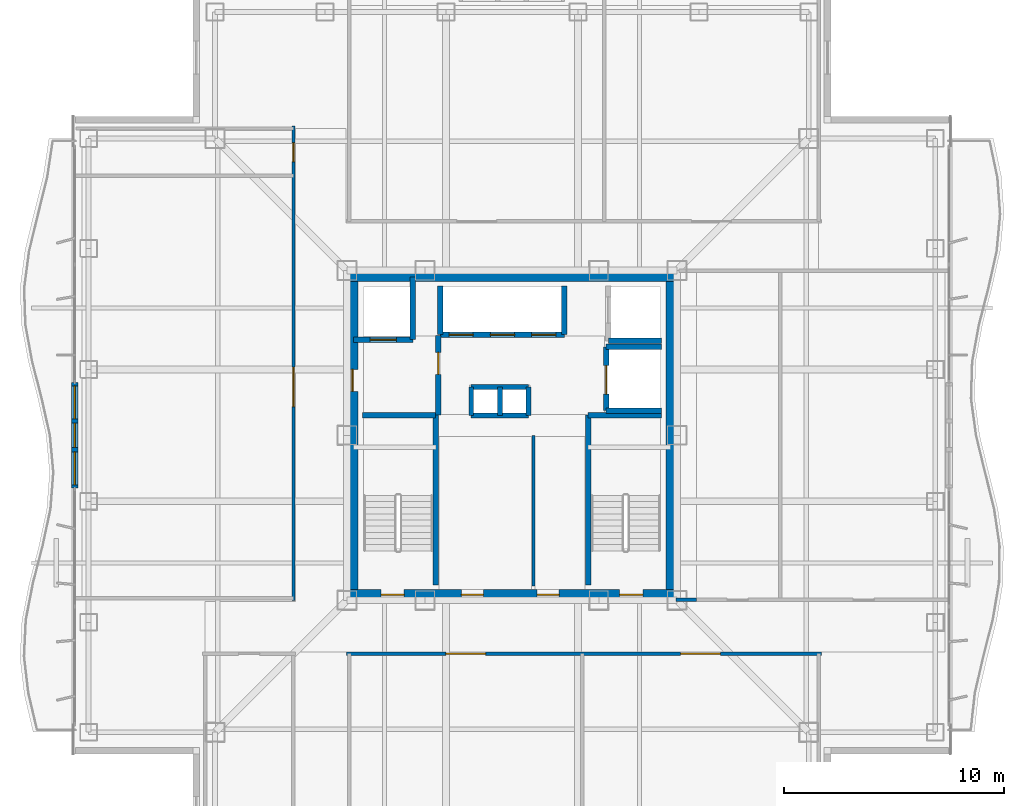
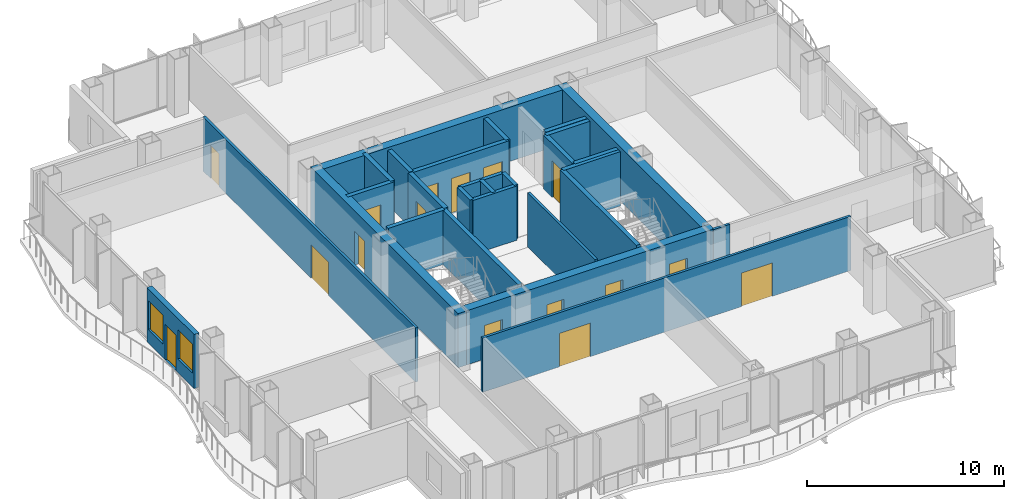
# One storey, part 11 of 16: 28 walls, 16 doors, 2 windows, 18 openings.
"""IFC4 building model written with IfcOpenShell, lengths in metres."""

from ifc_helpers import new_model, si_unit, direction, frame, frame_2d, origin, place, context, subcontext, project, spatial, rectangle, extrude, material, layer, layer_set, type_object, element, fill, save


model = new_model("IFC4")

# Units and contexts
model_context = context("Model", 3, precision=1e-05, world=origin(), true_north=direction((0.0, 1.0)))
body_context = subcontext(model_context, "Body", "Model", "MODEL_VIEW")
ifc_project = project(units=[si_unit("LENGTHUNIT", "METRE"), si_unit("AREAUNIT", "SQUARE_METRE"), si_unit("VOLUMEUNIT", "CUBIC_METRE"), si_unit("PLANEANGLEUNIT", "RADIAN"), si_unit("MASSUNIT", "GRAM", prefix="KILO")], contexts=[model_context])

# Site, building, storey
site_placement = place(None, origin())
site = spatial("IfcSite", under=ifc_project, at=site_placement, CompositionType="ELEMENT")
building_placement = place(site_placement, origin())
building = spatial("IfcBuilding", under=site, at=building_placement, Name="Trevonay Congress Spire", CompositionType="ELEMENT")
storey_placement = place(building_placement, frame((0.0, 0.0, 195.0)))
storey = spatial("IfcBuildingStorey", under=building, at=storey_placement, Name="L50", CompositionType="ELEMENT", Elevation=195.0)

# Wall, openings, doors
ifc_material_1 = material(Name="Concrete C50/60", Category="concrete")
ifc_layer_1 = layer(ifc_material_1, 0.5, Name="Concrete C50/60")
ifc_layer_set_1 = layer_set([ifc_layer_1], Name="Concrete C50/60")
wall_type_1 = type_object("IfcWallType", Name="WAL-CORE-500", PredefinedType="SHEAR", material=ifc_layer_set_1)
wall_1_placement = place(storey_placement, frame((-7.5, -7.25, 0.0), z_axis=(0.0, 0.0, 1.0), x_axis=(1.0, 0.0, 0.0)))
wall_1 = element("IfcWall", 1, at=wall_1_placement, inside=storey, type_object=wall_type_1, Name="L50 South structural core shear wall", PredefinedType="SHEAR", context=body_context, shape_type="SweptSolid", body=[
    extrude(rectangle(XDim=15.0, YDim=0.5, at=frame_2d((7.5, 0.0))), origin(), (0.0, 0.0, 1.0), 3.360107421875),
])
opening_1_placement = place(wall_1_placement, frame((1.550048828125, 0.0, 0.0)))
opening_1 = element("IfcOpeningElement", 2, at=opening_1_placement, cuts=wall_1, Name="Opening D05", PredefinedType="OPENING", context=body_context, shape_type="SweptSolid", body=[
    extrude(rectangle(XDim=1.050048828125, YDim=2.080078125, at=frame_2d((0.52490234375, 1.0400390625))), frame((0.0, 0.260009765625, 0.0), z_axis=(0.0, -1.0, 0.0), x_axis=(1.0, 0.0, 0.0)), (0.0, 0.0, 1.0), 0.52001953125),
])
opening_2_placement = place(wall_1_placement, frame((12.39990234375, 0.0, 0.0)))
opening_2 = element("IfcOpeningElement", 3, at=opening_2_placement, cuts=wall_1, Name="Opening D05", PredefinedType="OPENING", context=body_context, shape_type="SweptSolid", body=[
    extrude(rectangle(XDim=1.050048828125, YDim=2.080078125, at=frame_2d((0.52490234375, 1.0400390625))), frame((0.0, 0.260009765625, 0.0), z_axis=(0.0, -1.0, 0.0), x_axis=(1.0, 0.0, 0.0)), (0.0, 0.0, 1.0), 0.52001953125),
])
opening_3_placement = place(wall_1_placement, frame((5.199951171875, 0.0, 0.0)))
opening_3 = element("IfcOpeningElement", 4, at=opening_3_placement, cuts=wall_1, Name="Opening D06", PredefinedType="OPENING", context=body_context, shape_type="SweptSolid", body=[
    extrude(rectangle(XDim=1.0, YDim=2.080078125, at=frame_2d((0.5, 1.0400390625))), frame((0.0, 0.260009765625, 0.0), z_axis=(0.0, -1.0, 0.0), x_axis=(1.0, 0.0, 0.0)), (0.0, 0.0, 1.0), 0.52001953125),
])
opening_4_placement = place(wall_1_placement, frame((8.64990234375, 0.0, 0.0)))
opening_4 = element("IfcOpeningElement", 5, at=opening_4_placement, cuts=wall_1, Name="Opening D06", PredefinedType="OPENING", context=body_context, shape_type="SweptSolid", body=[
    extrude(rectangle(XDim=1.0, YDim=2.080078125, at=frame_2d((0.5, 1.0400390625))), frame((0.0, 0.260009765625, 0.0), z_axis=(0.0, -1.0, 0.0), x_axis=(1.0, 0.0, 0.0)), (0.0, 0.0, 1.0), 0.52001953125),
])
ifc_material_2 = material(Name="Steel ASTM A572 Grade 50", Category="steel")
door_type_1 = type_object("IfcDoorType", Name="DOR-FIRE-100", OperationType="NOTDEFINED", PredefinedType="DOOR", material=ifc_material_2)
door_1_placement = place(opening_3_placement, origin())
door_1 = element("IfcDoor", 6, at=door_1_placement, inside=storey, type_object=door_type_1, Name="L50 South Core Room 1 Door", OperationType="SINGLE_SWING_LEFT", OverallHeight=2.080078125, OverallWidth=1.0, PredefinedType="DOOR", context=body_context, shape_type="SweptSolid", body=[
    extrude(rectangle(XDim=1.0, YDim=2.080078125, at=frame_2d((0.5, 1.0400390625))), frame((0.0, 0.02490234375, 0.0), z_axis=(0.0, -1.0, 0.0), x_axis=(1.0, 0.0, 0.0)), (0.0, 0.0, 1.0), 0.050048828125),
])
fill(opening_3, door_1)
door_2_placement = place(opening_4_placement, origin())
door_2 = element("IfcDoor", 7, at=door_2_placement, inside=storey, type_object=door_type_1, Name="L50 South Core Room 2 Door", OperationType="SINGLE_SWING_RIGHT", OverallHeight=2.080078125, OverallWidth=1.0, PredefinedType="DOOR", context=body_context, shape_type="SweptSolid", body=[
    extrude(rectangle(XDim=1.0, YDim=2.080078125, at=frame_2d((0.5, 1.0400390625))), frame((0.0, 0.02490234375, 0.0), z_axis=(0.0, -1.0, 0.0), x_axis=(1.0, 0.0, 0.0)), (0.0, 0.0, 1.0), 0.050048828125),
])
fill(opening_4, door_2)
door_type_2 = type_object("IfcDoorType", Name="DOR-STAIR-110", OperationType="NOTDEFINED", PredefinedType="DOOR", material=ifc_material_2)
door_3_placement = place(opening_1_placement, origin())
door_3 = element("IfcDoor", 8, at=door_3_placement, inside=storey, type_object=door_type_2, Name="L50 Protected Stair ST-1 Door", OperationType="SINGLE_SWING_RIGHT", OverallHeight=2.080078125, OverallWidth=1.050048828125, PredefinedType="DOOR", context=body_context, shape_type="SweptSolid", body=[
    extrude(rectangle(XDim=1.050048828125, YDim=2.080078125, at=frame_2d((0.52490234375, 1.0400390625))), frame((0.0, 0.02490234375, 0.0), z_axis=(0.0, -1.0, 0.0), x_axis=(1.0, 0.0, 0.0)), (0.0, 0.0, 1.0), 0.050048828125),
])
fill(opening_1, door_3)
door_4_placement = place(opening_2_placement, origin())
door_4 = element("IfcDoor", 9, at=door_4_placement, inside=storey, type_object=door_type_2, Name="L50 Protected Stair ST-2 Door", OperationType="SINGLE_SWING_LEFT", OverallHeight=2.080078125, OverallWidth=1.050048828125, PredefinedType="DOOR", context=body_context, shape_type="SweptSolid", body=[
    extrude(rectangle(XDim=1.050048828125, YDim=2.080078125, at=frame_2d((0.52490234375, 1.0400390625))), frame((0.0, 0.02490234375, 0.0), z_axis=(0.0, -1.0, 0.0), x_axis=(1.0, 0.0, 0.0)), (0.0, 0.0, 1.0), 0.050048828125),
])
fill(opening_2, door_4)

# Wall
wall_2_placement = place(storey_placement, frame((-7.5, 7.25, 0.0), z_axis=(0.0, 0.0, 1.0), x_axis=(1.0, 0.0, 0.0)))
element("IfcWall", 10, at=wall_2_placement, inside=storey, type_object=wall_type_1, Name="L50 North structural core shear wall", PredefinedType="SHEAR", context=body_context, shape_type="SweptSolid", body=[
    extrude(rectangle(XDim=15.0, YDim=0.5, at=frame_2d((7.5, 0.0))), origin(), (0.0, 0.0, 1.0), 3.360107421875),
])

# Wall, opening, door
wall_3_placement = place(storey_placement, frame((-7.25, -7.5, 0.0), z_axis=(0.0, 0.0, 1.0), x_axis=(0.0, 1.0, 0.0)))
wall_3 = element("IfcWall", 11, at=wall_3_placement, inside=storey, type_object=wall_type_1, Name="L50 West structural core shear wall", PredefinedType="SHEAR", context=body_context, shape_type="SweptSolid", body=[
    extrude(rectangle(XDim=15.0, YDim=0.5, at=frame_2d((7.5, 0.0))), origin(), (0.0, 0.0, 1.0), 3.360107421875),
])
opening_5_placement = place(wall_3_placement, frame((9.5, 0.0, 0.0)))
opening_5 = element("IfcOpeningElement", 12, at=opening_5_placement, cuts=wall_3, Name="Opening D06", PredefinedType="OPENING", context=body_context, shape_type="SweptSolid", body=[
    extrude(rectangle(XDim=1.0, YDim=2.080078125, at=frame_2d((0.5, 1.0400390625))), frame((0.0, 0.260009765625, 0.0), z_axis=(0.0, -1.0, 0.0), x_axis=(1.0, 0.0, 0.0)), (0.0, 0.0, 1.0), 0.52001953125),
])
door_5_placement = place(opening_5_placement, origin())
door_5 = element("IfcDoor", 13, at=door_5_placement, inside=storey, type_object=door_type_1, Name="L50 Firefighting Lift Lobby West Corridor Door", OperationType="SINGLE_SWING_RIGHT", OverallHeight=2.080078125, OverallWidth=1.0, PredefinedType="DOOR", context=body_context, shape_type="SweptSolid", body=[
    extrude(rectangle(XDim=1.0, YDim=2.080078125, at=frame_2d((0.5, 1.0400390625))), frame((0.0, 0.02490234375, 0.0), z_axis=(0.0, -1.0, 0.0), x_axis=(1.0, 0.0, 0.0)), (0.0, 0.0, 1.0), 0.050048828125),
])
fill(opening_5, door_5)

# Wall
wall_4_placement = place(storey_placement, frame((7.25, -7.5, 0.0), z_axis=(0.0, 0.0, 1.0), x_axis=(0.0, 1.0, 0.0)))
element("IfcWall", 14, at=wall_4_placement, inside=storey, type_object=wall_type_1, Name="L50 East structural core shear wall", PredefinedType="SHEAR", context=body_context, shape_type="SweptSolid", body=[
    extrude(rectangle(XDim=15.0, YDim=0.5, at=frame_2d((7.5, 0.0))), origin(), (0.0, 0.0, 1.0), 3.360107421875),
])

# Wall, openings, doors
ifc_material_3 = material(Name="Concrete C40/50", Category="concrete")
ifc_layer_2 = layer(ifc_material_3, 0.14990234375, Name="Concrete C40/50")
ifc_layer_set_2 = layer_set([ifc_layer_2], Name="Concrete C40/50")
wall_type_2 = type_object("IfcWallType", Name="WAL-CORR-150", PredefinedType="PARTITIONING", material=ifc_layer_set_2)
wall_5_placement = place(storey_placement, frame((-7.52001953125, -9.929931640625, 0.0), z_axis=(0.0, 0.0, 1.0), x_axis=(1.0, 0.0, 0.0)))
wall_5 = element("IfcWall", 15, at=wall_5_placement, inside=storey, type_object=wall_type_2, Name="L50 interior wall WP-L50SE-COR", PredefinedType="PARTITIONING", context=body_context, shape_type="SweptSolid", body=[
    extrude(rectangle(XDim=21.590087890625, YDim=0.14990234375, at=frame_2d((10.794921875, 0.0))), origin(), (0.0, 0.0, 1.0), 3.360107421875),
])
opening_6_placement = place(wall_5_placement, frame((4.52001953125, 0.0, 0.0)))
opening_6 = element("IfcOpeningElement", 16, at=opening_6_placement, cuts=wall_5, Name="Opening D09", PredefinedType="OPENING", context=body_context, shape_type="SweptSolid", body=[
    extrude(rectangle(XDim=1.800048828125, YDim=2.080078125, at=frame_2d((0.89990234375, 1.0400390625))), frame((0.0, 0.0849609375, 0.0), z_axis=(0.0, -1.0, 0.0), x_axis=(1.0, 0.0, 0.0)), (0.0, 0.0, 1.0), 0.169921875),
])
opening_7_placement = place(wall_5_placement, frame((15.195068359375, 0.0, 0.0)))
opening_7 = element("IfcOpeningElement", 17, at=opening_7_placement, cuts=wall_5, Name="Opening D09", PredefinedType="OPENING", context=body_context, shape_type="SweptSolid", body=[
    extrude(rectangle(XDim=1.800048828125, YDim=2.080078125, at=frame_2d((0.89990234375, 1.0400390625))), frame((0.0, 0.0849609375, 0.0), z_axis=(0.0, -1.0, 0.0), x_axis=(1.0, 0.0, 0.0)), (0.0, 0.0, 1.0), 0.169921875),
])
ifc_material_4 = material(Name="Pale Anodised Aluminium EN AW-6063-T6", Category="aluminium")
door_type_3 = type_object("IfcDoorType", Name="DOR-CONF-DBL", OperationType="DOUBLE_DOOR_SINGLE_SWING", PredefinedType="DOOR", material=ifc_material_4)
door_6_placement = place(opening_6_placement, origin())
door_6 = element("IfcDoor", 18, at=door_6_placement, inside=storey, type_object=door_type_3, Name="L50 Corporate Main Production Kitchen Door", OperationType="DOUBLE_DOOR_SINGLE_SWING", OverallHeight=2.080078125, OverallWidth=1.800048828125, PredefinedType="DOOR", context=body_context, shape_type="SweptSolid", body=[
    extrude(rectangle(XDim=1.800048828125, YDim=2.080078125, at=frame_2d((0.89990234375, 1.0400390625))), frame((0.0, 0.02490234375, 0.0), z_axis=(0.0, -1.0, 0.0), x_axis=(1.0, 0.0, 0.0)), (0.0, 0.0, 1.0), 0.050048828125),
])
fill(opening_6, door_6)
door_7_placement = place(opening_7_placement, origin())
door_7 = element("IfcDoor", 19, at=door_7_placement, inside=storey, type_object=door_type_3, Name="L50 Pastry and Garde-Manger Kitchen Door", OperationType="DOUBLE_DOOR_SINGLE_SWING", OverallHeight=2.080078125, OverallWidth=1.800048828125, PredefinedType="DOOR", context=body_context, shape_type="SweptSolid", body=[
    extrude(rectangle(XDim=1.800048828125, YDim=2.080078125, at=frame_2d((0.89990234375, 1.0400390625))), frame((0.0, 0.02490234375, 0.0), z_axis=(0.0, -1.0, 0.0), x_axis=(1.0, 0.0, 0.0)), (0.0, 0.0, 1.0), 0.050048828125),
])
fill(opening_7, door_7)

wall_6_placement = place(storey_placement, frame((-9.929931640625, -7.52001953125, 0.0), z_axis=(0.0, 0.0, 1.0), x_axis=(0.0, 1.0, 0.0)))
wall_6 = element("IfcWall", 20, at=wall_6_placement, inside=storey, type_object=wall_type_2, Name="L50 interior wall WP-L50NW-COR", PredefinedType="PARTITIONING", context=body_context, shape_type="SweptSolid", body=[
    extrude(rectangle(XDim=21.590087890625, YDim=0.14990234375, at=frame_2d((10.794921875, 0.0))), origin(), (0.0, 0.0, 1.0), 3.360107421875),
])
opening_8_placement = place(wall_6_placement, frame((8.820068359375, 0.0, 0.0)))
opening_8 = element("IfcOpeningElement", 21, at=opening_8_placement, cuts=wall_6, Name="Opening D09", PredefinedType="OPENING", context=body_context, shape_type="SweptSolid", body=[
    extrude(rectangle(XDim=1.800048828125, YDim=2.080078125, at=frame_2d((0.89990234375, 1.0400390625))), frame((0.0, 0.0849609375, 0.0), z_axis=(0.0, -1.0, 0.0), x_axis=(1.0, 0.0, 0.0)), (0.0, 0.0, 1.0), 0.169921875),
])
opening_9_placement = place(wall_6_placement, frame((19.969970703125, 0.0, 0.0)))
opening_9 = element("IfcOpeningElement", 22, at=opening_9_placement, cuts=wall_6, Name="Opening D10", PredefinedType="OPENING", context=body_context, shape_type="SweptSolid", body=[
    extrude(rectangle(XDim=0.85009765625, YDim=2.050048828125, at=frame_2d((0.425048828125, 1.02490234375))), frame((0.0, 0.0849609375, 0.0), z_axis=(0.0, -1.0, 0.0), x_axis=(1.0, 0.0, 0.0)), (0.0, 0.0, 1.0), 0.169921875),
])
door_8_placement = place(opening_8_placement, origin())
door_8 = element("IfcDoor", 23, at=door_8_placement, inside=storey, type_object=door_type_3, Name="L50 Harbour View Grand Banquet Dining Room Door", OperationType="DOUBLE_DOOR_SINGLE_SWING", OverallHeight=2.080078125, OverallWidth=1.800048828125, PredefinedType="DOOR", context=body_context, shape_type="SweptSolid", body=[
    extrude(rectangle(XDim=1.800048828125, YDim=2.080078125, at=frame_2d((0.89990234375, 1.0400390625))), frame((0.0, 0.02490234375, 0.0), z_axis=(0.0, -1.0, 0.0), x_axis=(1.0, 0.0, 0.0)), (0.0, 0.0, 1.0), 0.050048828125),
])
fill(opening_8, door_8)
door_type_4 = type_object("IfcDoorType", Name="DOR-WC-85", OperationType="NOTDEFINED", PredefinedType="DOOR", material=ifc_material_4)
door_9_placement = place(opening_9_placement, origin())
door_9 = element("IfcDoor", 24, at=door_9_placement, inside=storey, type_object=door_type_4, Name="L50 Accessible WC Door", OperationType="SINGLE_SWING_LEFT", OverallHeight=2.050048828125, OverallWidth=0.85009765625, PredefinedType="DOOR", context=body_context, shape_type="SweptSolid", body=[
    extrude(rectangle(XDim=0.85009765625, YDim=2.050048828125, at=frame_2d((0.425048828125, 1.02490234375))), frame((0.0, 0.02490234375, 0.0), z_axis=(0.0, -1.0, 0.0), x_axis=(1.0, 0.0, 0.0)), (0.0, 0.0, 1.0), 0.050048828125),
])
fill(opening_9, door_9)

# Wall
wall_7_placement = place(storey_placement, frame((7.449951171875, -7.47998046875, 0.0), z_axis=(0.0, 0.0, 1.0), x_axis=(1.0, 0.0, 0.0)))
element("IfcWall", 25, at=wall_7_placement, inside=storey, type_object=wall_type_2, Name="L50 interior wall WP-L50E-STUB", PredefinedType="PARTITIONING", context=body_context, shape_type="SweptSolid", body=[
    extrude(rectangle(XDim=0.949951171875, YDim=0.14990234375, at=frame_2d((0.47509765625, 0.0))), origin(), (0.0, 0.0, 1.0), 3.360107421875),
])

# Wall, openings, door, windows
ifc_material_5 = material(Name="Precast concrete C40/50", Category="concrete")
ifc_layer_3 = layer(ifc_material_5, 0.300048828125, Name="Precast concrete C40/50")
ifc_layer_set_3 = layer_set([ifc_layer_3], Name="Precast concrete C40/50")
wall_type_3 = type_object("IfcWallType", Name="WAL-EXT-PRECAST-300", PredefinedType="SOLIDWALL", material=ifc_layer_set_3)
wall_8_placement = place(storey_placement, frame((-19.8798828125, -2.39990234375, 0.0), z_axis=(0.0, 0.0, 1.0), x_axis=(0.0, 1.0, 0.0)))
wall_8 = element("IfcWall", 26, at=wall_8_placement, inside=storey, type_object=wall_type_3, Name="L50 W glazed balcony portal exterior wall", PredefinedType="SOLIDWALL", context=body_context, shape_type="SweptSolid", body=[
    extrude(rectangle(XDim=4.7998046875, YDim=0.300048828125, at=frame_2d((2.39990234375, 0.0))), origin(), (0.0, 0.0, 1.0), 3.360107421875),
])
opening_10_placement = place(wall_8_placement, frame((1.85009765625, 0.0, 0.0)))
opening_10 = element("IfcOpeningElement", 27, at=opening_10_placement, cuts=wall_8, Name="Opening D03", PredefinedType="OPENING", context=body_context, shape_type="SweptSolid", body=[
    extrude(rectangle(XDim=1.10009765625, YDim=2.199951171875, at=frame_2d((0.550048828125, 1.10009765625))), frame((0.0, 0.16015625, 0.0), z_axis=(0.0, -1.0, 0.0), x_axis=(1.0, 0.0, 0.0)), (0.0, 0.0, 1.0), 0.320068359375),
])
opening_11_placement = place(wall_8_placement, frame((0.14990234375, 0.0, 0.85009765625)))
opening_11 = element("IfcOpeningElement", 28, at=opening_11_placement, cuts=wall_8, Name="Opening WN03", PredefinedType="OPENING", context=body_context, shape_type="SweptSolid", body=[
    extrude(rectangle(XDim=1.5, YDim=1.800048828125, at=frame_2d((0.75, 0.89990234375))), frame((0.0, 0.16015625, 0.0), z_axis=(0.0, -1.0, 0.0), x_axis=(1.0, 0.0, 0.0)), (0.0, 0.0, 1.0), 0.320068359375),
])
opening_12_placement = place(wall_8_placement, frame((3.14990234375, 0.0, 0.85009765625)))
opening_12 = element("IfcOpeningElement", 29, at=opening_12_placement, cuts=wall_8, Name="Opening WN03", PredefinedType="OPENING", context=body_context, shape_type="SweptSolid", body=[
    extrude(rectangle(XDim=1.5, YDim=1.800048828125, at=frame_2d((0.75, 0.89990234375))), frame((0.0, 0.16015625, 0.0), z_axis=(0.0, -1.0, 0.0), x_axis=(1.0, 0.0, 0.0)), (0.0, 0.0, 1.0), 0.320068359375),
])
door_type_5 = type_object("IfcDoorType", Name="DOR-EXT-BAL-110", OperationType="NOTDEFINED", PredefinedType="DOOR", material=ifc_material_4)
door_10_placement = place(opening_10_placement, origin())
door_10 = element("IfcDoor", 30, at=door_10_placement, inside=storey, type_object=door_type_5, Name="L50 W glazed outdoor terrace and balcony door", OperationType="SINGLE_SWING_LEFT", OverallHeight=2.199951171875, OverallWidth=1.10009765625, PredefinedType="DOOR", context=body_context, shape_type="SweptSolid", body=[
    extrude(rectangle(XDim=1.10009765625, YDim=2.199951171875, at=frame_2d((0.550048828125, 1.10009765625))), frame((0.0, 0.02490234375, 0.0), z_axis=(0.0, -1.0, 0.0), x_axis=(1.0, 0.0, 0.0)), (0.0, 0.0, 1.0), 0.050048828125),
])
fill(opening_10, door_10)
ifc_material_6 = material(Name="Insulated Low-E Vision Glass IGU", Category="glass")
window_type = type_object("IfcWindowType", Name="WIN-NOTCH-150X180", PartitioningType="SINGLE_PANEL", PredefinedType="WINDOW", material=ifc_material_6)
window_1_placement = place(opening_11_placement, origin())
window_1 = element("IfcWindow", 31, at=window_1_placement, inside=storey, type_object=window_type, Name="L50 W balcony sidelight window L", OverallHeight=1.800048828125, OverallWidth=1.5, PartitioningType="SINGLE_PANEL", PredefinedType="WINDOW", context=body_context, shape_type="SweptSolid", body=[
    extrude(rectangle(XDim=1.5, YDim=1.800048828125, at=frame_2d((0.75, 0.89990234375))), frame((0.0, 0.030029296875, 0.0), z_axis=(0.0, -1.0, 0.0), x_axis=(1.0, 0.0, 0.0)), (0.0, 0.0, 1.0), 0.06005859375),
])
fill(opening_11, window_1)
window_2_placement = place(opening_12_placement, origin())
window_2 = element("IfcWindow", 32, at=window_2_placement, inside=storey, type_object=window_type, Name="L50 W balcony sidelight window R", OverallHeight=1.800048828125, OverallWidth=1.5, PartitioningType="SINGLE_PANEL", PredefinedType="WINDOW", context=body_context, shape_type="SweptSolid", body=[
    extrude(rectangle(XDim=1.5, YDim=1.800048828125, at=frame_2d((0.75, 0.89990234375))), frame((0.0, 0.030029296875, 0.0), z_axis=(0.0, -1.0, 0.0), x_axis=(1.0, 0.0, 0.0)), (0.0, 0.0, 1.0), 0.06005859375),
])
fill(opening_12, window_2)

# Walls
ifc_layer_4 = layer(ifc_material_3, 0.14990234375, Name="Concrete C40/50")
ifc_layer_set_4 = layer_set([ifc_layer_4], Name="Concrete C40/50")
wall_type_4 = type_object("IfcWallType", Name="WAL-PART-150", PredefinedType="PARTITIONING", material=ifc_layer_set_4)
wall_9_placement = place(storey_placement, frame((0.97998046875, -6.85009765625, 0.0), z_axis=(0.0, 0.0, 1.0), x_axis=(0.0, 1.0, 0.0)))
element("IfcWall", 33, at=wall_9_placement, inside=storey, type_object=wall_type_4, Name="L50 interior wall CW-F3-L50", PredefinedType="PARTITIONING", context=body_context, shape_type="SweptSolid", body=[
    extrude(rectangle(XDim=6.85009765625, YDim=0.14990234375, at=frame_2d((3.425048828125, 0.0))), origin(), (0.0, 0.0, 1.0), 3.360107421875),
])
ifc_layer_5 = layer(ifc_material_3, 0.219970703125, Name="Concrete C40/50")
ifc_layer_set_5 = layer_set([ifc_layer_5], Name="Concrete C40/50")
wall_type_5 = type_object("IfcWallType", Name="WAL-SHAFT-220", PredefinedType="PARTITIONING", material=ifc_layer_set_5)
for number, where, z_axis, x_axis, name in (
    (34, (-1.85009765625, 2.199951171875, 0.0), (0.0, 0.0, 1.0), (1.0, 0.0, 0.0), "L50 interior shaft wall WSH-L50-RSR-N"),
    (35, (-1.85009765625, 0.89990234375, 0.0), (0.0, 0.0, 1.0), (1.0, 0.0, 0.0), "L50 interior shaft wall WSH-L50-RSR-S"),
):
    element("IfcWall", number, at=place(storey_placement, frame(where, z_axis=z_axis, x_axis=x_axis)), inside=storey, type_object=wall_type_5, Name=name, PredefinedType="PARTITIONING", context=body_context, shape_type="SweptSolid", body=[
        extrude(rectangle(XDim=2.60009765625, YDim=0.219970703125, at=frame_2d((1.300048828125, 0.0))), origin(), (0.0, 0.0, 1.0), 3.360107421875),
    ])
for number, where, z_axis, x_axis, name in (
    (36, (-0.550048828125, 0.89990234375, 0.0), (0.0, 0.0, 1.0), (0.0, 1.0, 0.0), "L50 interior shaft wall WSH-L50-RSR-M"),
    (37, (0.75, 0.89990234375, 0.0), (0.0, 0.0, 1.0), (0.0, 1.0, 0.0), "L50 interior shaft wall WSH-L50-RSR-E"),
    (38, (-1.85009765625, 0.89990234375, 0.0), (0.0, 0.0, 1.0), (0.0, 1.0, 0.0), "L50 interior shaft wall WSH-L50-RSR-W"),
):
    element("IfcWall", number, at=place(storey_placement, frame(where, z_axis=z_axis, x_axis=x_axis)), inside=storey, type_object=wall_type_5, Name=name, PredefinedType="PARTITIONING", context=body_context, shape_type="SweptSolid", body=[
        extrude(rectangle(XDim=1.300048828125, YDim=0.219970703125, at=frame_2d((0.64990234375, 0.0))), origin(), (0.0, 0.0, 1.0), 3.360107421875),
    ])

# Wall, openings, doors
ifc_layer_6 = layer(ifc_material_3, 0.25, Name="Concrete C40/50")
ifc_layer_set_6 = layer_set([ifc_layer_6], Name="Concrete C40/50")
wall_type_6 = type_object("IfcWallType", Name="WAL-SHAFT-250", PredefinedType="SHEAR", material=ifc_layer_set_6)
wall_10_placement = place(storey_placement, frame((-3.260009765625, 4.580078125, 0.0), z_axis=(0.0, 0.0, 1.0), x_axis=(1.0, 0.0, 0.0)))
wall_10 = element("IfcWall", 39, at=wall_10_placement, inside=storey, type_object=wall_type_6, Name="L50 interior shaft wall WSH-L50-B3-S", PredefinedType="SHEAR", context=body_context, shape_type="SweptSolid", body=[
    extrude(rectangle(XDim=5.639892578125, YDim=0.25, at=frame_2d((2.81982421875, 0.0))), origin(), (0.0, 0.0, 1.0), 3.360107421875),
])
opening_13_placement = place(wall_10_placement, frame((0.39990234375, 0.0, 0.0)))
opening_13 = element("IfcOpeningElement", 40, at=opening_13_placement, cuts=wall_10, Name="Opening LD03", PredefinedType="OPENING", context=body_context, shape_type="SweptSolid", body=[
    extrude(rectangle(XDim=1.10009765625, YDim=2.199951171875, at=frame_2d((0.550048828125, 1.10009765625))), frame((0.0, 0.135009765625, 0.0), z_axis=(0.0, -1.0, 0.0), x_axis=(1.0, 0.0, 0.0)), (0.0, 0.0, 1.0), 0.27001953125),
])
opening_14_placement = place(wall_10_placement, frame((2.280029296875, 0.0, 0.0)))
opening_14 = element("IfcOpeningElement", 41, at=opening_14_placement, cuts=wall_10, Name="Opening LD03", PredefinedType="OPENING", context=body_context, shape_type="SweptSolid", body=[
    extrude(rectangle(XDim=1.10009765625, YDim=2.199951171875, at=frame_2d((0.550048828125, 1.10009765625))), frame((0.0, 0.135009765625, 0.0), z_axis=(0.0, -1.0, 0.0), x_axis=(1.0, 0.0, 0.0)), (0.0, 0.0, 1.0), 0.27001953125),
])
opening_15_placement = place(wall_10_placement, frame((4.159912109375, 0.0, 0.0)))
opening_15 = element("IfcOpeningElement", 42, at=opening_15_placement, cuts=wall_10, Name="Opening LD03", PredefinedType="OPENING", context=body_context, shape_type="SweptSolid", body=[
    extrude(rectangle(XDim=1.10009765625, YDim=2.199951171875, at=frame_2d((0.550048828125, 1.10009765625))), frame((0.0, 0.135009765625, 0.0), z_axis=(0.0, -1.0, 0.0), x_axis=(1.0, 0.0, 0.0)), (0.0, 0.0, 1.0), 0.27001953125),
])
door_type_6 = type_object("IfcDoorType", Name="DOR-LIFT-LD03", OperationType="DOUBLE_DOOR_SLIDING", PredefinedType="DOOR", material=ifc_material_4)
door_11_placement = place(opening_13_placement, origin())
door_11 = element("IfcDoor", 43, at=door_11_placement, inside=storey, type_object=door_type_6, Name="L50 Passenger lift PL-07 landing door", OperationType="DOUBLE_DOOR_SLIDING", OverallHeight=2.199951171875, OverallWidth=1.10009765625, PredefinedType="DOOR", context=body_context, shape_type="SweptSolid", body=[
    extrude(rectangle(XDim=1.10009765625, YDim=2.199951171875, at=frame_2d((0.550048828125, 1.10009765625))), frame((0.0, 0.02490234375, 0.0), z_axis=(0.0, -1.0, 0.0), x_axis=(1.0, 0.0, 0.0)), (0.0, 0.0, 1.0), 0.050048828125),
])
fill(opening_13, door_11)
door_12_placement = place(opening_14_placement, origin())
door_12 = element("IfcDoor", 44, at=door_12_placement, inside=storey, type_object=door_type_6, Name="L50 Passenger lift PL-08 landing door", OperationType="DOUBLE_DOOR_SLIDING", OverallHeight=2.199951171875, OverallWidth=1.10009765625, PredefinedType="DOOR", context=body_context, shape_type="SweptSolid", body=[
    extrude(rectangle(XDim=1.10009765625, YDim=2.199951171875, at=frame_2d((0.550048828125, 1.10009765625))), frame((0.0, 0.02490234375, 0.0), z_axis=(0.0, -1.0, 0.0), x_axis=(1.0, 0.0, 0.0)), (0.0, 0.0, 1.0), 0.050048828125),
])
fill(opening_14, door_12)
door_13_placement = place(opening_15_placement, origin())
door_13 = element("IfcDoor", 45, at=door_13_placement, inside=storey, type_object=door_type_6, Name="L50 Passenger lift PL-09 landing door", OperationType="DOUBLE_DOOR_SLIDING", OverallHeight=2.199951171875, OverallWidth=1.10009765625, PredefinedType="DOOR", context=body_context, shape_type="SweptSolid", body=[
    extrude(rectangle(XDim=1.10009765625, YDim=2.199951171875, at=frame_2d((0.550048828125, 1.10009765625))), frame((0.0, 0.02490234375, 0.0), z_axis=(0.0, -1.0, 0.0), x_axis=(1.0, 0.0, 0.0)), (0.0, 0.0, 1.0), 0.050048828125),
])
fill(opening_15, door_13)

# Walls
for number, where, z_axis, x_axis, name in (
    (46, (-3.260009765625, 4.580078125, 0.0), (0.0, 0.0, 1.0), (0.0, 1.0, 0.0), "L50 interior shaft wall WSH-L50-B3-W"),
    (47, (2.3798828125, 4.580078125, 0.0), (0.0, 0.0, 1.0), (0.0, 1.0, 0.0), "L50 interior shaft wall WSH-L50-B3-E"),
):
    element("IfcWall", number, at=place(storey_placement, frame(where, z_axis=z_axis, x_axis=x_axis)), inside=storey, type_object=wall_type_6, Name=name, PredefinedType="SHEAR", context=body_context, shape_type="SweptSolid", body=[
        extrude(rectangle(XDim=2.219970703125, YDim=0.25, at=frame_2d((1.10986328125, 0.0))), origin(), (0.0, 0.0, 1.0), 3.360107421875),
    ])

# Wall, opening, door
wall_11_placement = place(storey_placement, frame((-7.199951171875, 4.35009765625, 0.0), z_axis=(0.0, 0.0, 1.0), x_axis=(1.0, 0.0, 0.0)))
wall_11 = element("IfcWall", 48, at=wall_11_placement, inside=storey, type_object=wall_type_6, Name="L50 interior shaft wall WSH-L50-FF1-S", PredefinedType="SHEAR", context=body_context, shape_type="SweptSolid", body=[
    extrude(rectangle(XDim=2.699951171875, YDim=0.25, at=frame_2d((1.35009765625, 0.0))), origin(), (0.0, 0.0, 1.0), 3.360107421875),
])
opening_16_placement = place(wall_11_placement, frame((0.75, 0.0, 0.0)))
opening_16 = element("IfcOpeningElement", 49, at=opening_16_placement, cuts=wall_11, Name="Opening LD04", PredefinedType="OPENING", context=body_context, shape_type="SweptSolid", body=[
    extrude(rectangle(XDim=1.199951171875, YDim=2.199951171875, at=frame_2d((0.60009765625, 1.10009765625))), frame((0.0, 0.135009765625, 0.0), z_axis=(0.0, -1.0, 0.0), x_axis=(1.0, 0.0, 0.0)), (0.0, 0.0, 1.0), 0.27001953125),
])
door_type_7 = type_object("IfcDoorType", Name="DOR-LIFT-LD04", OperationType="DOUBLE_DOOR_SLIDING", PredefinedType="DOOR", material=ifc_material_2)
door_14_placement = place(opening_16_placement, origin())
door_14 = element("IfcDoor", 50, at=door_14_placement, inside=storey, type_object=door_type_7, Name="L50 Firefighting lift FFL-01 landing door", OperationType="DOUBLE_DOOR_SLIDING", OverallHeight=2.199951171875, OverallWidth=1.199951171875, PredefinedType="DOOR", context=body_context, shape_type="SweptSolid", body=[
    extrude(rectangle(XDim=1.199951171875, YDim=2.199951171875, at=frame_2d((0.60009765625, 1.10009765625))), frame((0.0, 0.02490234375, 0.0), z_axis=(0.0, -1.0, 0.0), x_axis=(1.0, 0.0, 0.0)), (0.0, 0.0, 1.0), 0.050048828125),
])
fill(opening_16, door_14)

# Walls
wall_12_placement = place(storey_placement, frame((-4.5, 4.35009765625, 0.0), z_axis=(0.0, 0.0, 1.0), x_axis=(0.0, 1.0, 0.0)))
element("IfcWall", 51, at=wall_12_placement, inside=storey, type_object=wall_type_6, Name="L50 interior shaft wall WSH-L50-FF1-E", PredefinedType="SHEAR", context=body_context, shape_type="SweptSolid", body=[
    extrude(rectangle(XDim=2.849853515625, YDim=0.25, at=frame_2d((1.4248046875, 0.0))), origin(), (0.0, 0.0, 1.0), 3.360107421875),
])
wall_13_placement = place(storey_placement, frame((4.3798828125, 4.300048828125, 0.0), z_axis=(0.0, 0.0, 1.0), x_axis=(1.0, 0.0, 0.0)))
element("IfcWall", 52, at=wall_13_placement, inside=storey, type_object=wall_type_6, Name="L50 interior shaft wall WSH-L50-FF2-S", PredefinedType="SHEAR", context=body_context, shape_type="SweptSolid", body=[
    extrude(rectangle(XDim=2.420166015625, YDim=0.25, at=frame_2d((1.2099609375, 0.0))), origin(), (0.0, 0.0, 1.0), 3.360107421875),
])

# Wall, opening, door
wall_14_placement = place(storey_placement, frame((4.280029296875, 1.1201171875, 0.0), z_axis=(0.0, 0.0, 1.0), x_axis=(0.0, 1.0, 0.0)))
wall_14 = element("IfcWall", 53, at=wall_14_placement, inside=storey, type_object=wall_type_6, Name="L50 interior shaft wall WSH-L50-SV-W", PredefinedType="SHEAR", context=body_context, shape_type="SweptSolid", body=[
    extrude(rectangle(XDim=2.89990234375, YDim=0.25, at=frame_2d((1.449951171875, 0.0))), origin(), (0.0, 0.0, 1.0), 3.360107421875),
])
opening_17_placement = place(wall_14_placement, frame((0.75, 0.0, 0.0)))
opening_17 = element("IfcOpeningElement", 54, at=opening_17_placement, cuts=wall_14, Name="Opening LD05", PredefinedType="OPENING", context=body_context, shape_type="SweptSolid", body=[
    extrude(rectangle(XDim=1.300048828125, YDim=2.300048828125, at=frame_2d((0.64990234375, 1.14990234375))), frame((0.0, 0.135009765625, 0.0), z_axis=(0.0, -1.0, 0.0), x_axis=(1.0, 0.0, 0.0)), (0.0, 0.0, 1.0), 0.27001953125),
])
door_type_8 = type_object("IfcDoorType", Name="DOR-LIFT-LD05", OperationType="DOUBLE_DOOR_SLIDING", PredefinedType="DOOR", material=ifc_material_2)
door_15_placement = place(opening_17_placement, origin())
door_15 = element("IfcDoor", 55, at=door_15_placement, inside=storey, type_object=door_type_8, Name="L50 Goods lift SVL-01 landing door", OperationType="DOUBLE_DOOR_SLIDING", OverallHeight=2.300048828125, OverallWidth=1.300048828125, PredefinedType="DOOR", context=body_context, shape_type="SweptSolid", body=[
    extrude(rectangle(XDim=1.300048828125, YDim=2.300048828125, at=frame_2d((0.64990234375, 1.14990234375))), frame((0.0, 0.02490234375, 0.0), z_axis=(0.0, -1.0, 0.0), x_axis=(1.0, 0.0, 0.0)), (0.0, 0.0, 1.0), 0.050048828125),
])
fill(opening_17, door_15)

# Walls
for number, where, z_axis, x_axis, name in (
    (56, (4.280029296875, 1.1201171875, 0.0), (0.0, 0.0, 1.0), (1.0, 0.0, 0.0), "L50 interior shaft wall WSH-L50-SV-S"),
    (57, (4.280029296875, 4.02001953125, 0.0), (0.0, 0.0, 1.0), (1.0, 0.0, 0.0), "L50 interior shaft wall WSH-L50-SV-N"),
):
    element("IfcWall", number, at=place(storey_placement, frame(where, z_axis=z_axis, x_axis=x_axis)), inside=storey, type_object=wall_type_6, Name=name, PredefinedType="SHEAR", context=body_context, shape_type="SweptSolid", body=[
        extrude(rectangle(XDim=2.52001953125, YDim=0.25, at=frame_2d((1.260009765625, 0.0))), origin(), (0.0, 0.0, 1.0), 3.360107421875),
    ])

# Wall, opening, door
wall_15_placement = place(storey_placement, frame((-3.35009765625, 0.919921875, 0.0), z_axis=(0.0, 0.0, 1.0), x_axis=(0.0, 1.0, 0.0)))
wall_15 = element("IfcWall", 58, at=wall_15_placement, inside=storey, type_object=wall_type_6, Name="L50 interior wall CW-FFLW-E-L50", PredefinedType="SHEAR", context=body_context, shape_type="SweptSolid", body=[
    extrude(rectangle(XDim=3.6201171875, YDim=0.25, at=frame_2d((1.81005859375, 0.0))), origin(), (0.0, 0.0, 1.0), 3.360107421875),
])
opening_18_placement = place(wall_15_placement, frame((1.85009765625, 0.0, 0.0)))
opening_18 = element("IfcOpeningElement", 59, at=opening_18_placement, cuts=wall_15, Name="Opening D06", PredefinedType="OPENING", context=body_context, shape_type="SweptSolid", body=[
    extrude(rectangle(XDim=1.0, YDim=2.080078125, at=frame_2d((0.5, 1.0400390625))), frame((0.0, 0.135009765625, 0.0), z_axis=(0.0, -1.0, 0.0), x_axis=(1.0, 0.0, 0.0)), (0.0, 0.0, 1.0), 0.27001953125),
])
door_16_placement = place(opening_18_placement, origin())
door_16 = element("IfcDoor", 60, at=door_16_placement, inside=storey, type_object=door_type_1, Name="L50 Firefighting Core Lobby Transfer Door", OperationType="SINGLE_SWING_LEFT", OverallHeight=2.080078125, OverallWidth=1.0, PredefinedType="DOOR", context=body_context, shape_type="SweptSolid", body=[
    extrude(rectangle(XDim=1.0, YDim=2.080078125, at=frame_2d((0.5, 1.0400390625))), frame((0.0, 0.02490234375, 0.0), z_axis=(0.0, -1.0, 0.0), x_axis=(1.0, 0.0, 0.0)), (0.0, 0.0, 1.0), 0.050048828125),
])
fill(opening_18, door_16)

# Walls
ifc_layer_7 = layer(ifc_material_3, 0.25, Name="Concrete C40/50")
ifc_layer_set_7 = layer_set([ifc_layer_7], Name="Concrete C40/50")
wall_type_7 = type_object("IfcWallType", Name="WAL-SHAFT-LB-250", PredefinedType="SHEAR", material=ifc_layer_set_7)
wall_16_placement = place(storey_placement, frame((-3.469970703125, -6.800048828125, 0.0), z_axis=(0.0, 0.0, 1.0), x_axis=(0.0, 1.0, 0.0)))
element("IfcWall", 61, at=wall_16_placement, inside=storey, type_object=wall_type_7, Name="L50 interior shaft wall WSH-L50-ST1-E", PredefinedType="SHEAR", context=body_context, shape_type="SweptSolid", body=[
    extrude(rectangle(XDim=7.719970703125, YDim=0.25, at=frame_2d((3.85986328125, 0.0))), origin(), (0.0, 0.0, 1.0), 3.360107421875),
])
wall_17_placement = place(storey_placement, frame((-6.800048828125, 0.919921875, 0.0), z_axis=(0.0, 0.0, 1.0), x_axis=(1.0, 0.0, 0.0)))
element("IfcWall", 62, at=wall_17_placement, inside=storey, type_object=wall_type_7, Name="L50 interior shaft wall WSH-L50-ST1-N", PredefinedType="SHEAR", context=body_context, shape_type="SweptSolid", body=[
    extrude(rectangle(XDim=3.330078125, YDim=0.25, at=frame_2d((1.6650390625, 0.0))), origin(), (0.0, 0.0, 1.0), 3.360107421875),
])
wall_18_placement = place(storey_placement, frame((3.469970703125, -6.800048828125, 0.0), z_axis=(0.0, 0.0, 1.0), x_axis=(0.0, 1.0, 0.0)))
element("IfcWall", 63, at=wall_18_placement, inside=storey, type_object=wall_type_7, Name="L50 interior shaft wall WSH-L50-ST2-W", PredefinedType="SHEAR", context=body_context, shape_type="SweptSolid", body=[
    extrude(rectangle(XDim=7.719970703125, YDim=0.25, at=frame_2d((3.85986328125, 0.0))), origin(), (0.0, 0.0, 1.0), 3.360107421875),
])
wall_19_placement = place(storey_placement, frame((3.469970703125, 0.919921875, 0.0), z_axis=(0.0, 0.0, 1.0), x_axis=(1.0, 0.0, 0.0)))
element("IfcWall", 64, at=wall_19_placement, inside=storey, type_object=wall_type_7, Name="L50 interior shaft wall WSH-L50-ST2-N", PredefinedType="SHEAR", context=body_context, shape_type="SweptSolid", body=[
    extrude(rectangle(XDim=3.330078125, YDim=0.25, at=frame_2d((1.6650390625, 0.0))), origin(), (0.0, 0.0, 1.0), 3.360107421875),
])

save(model, "model.ifc")
